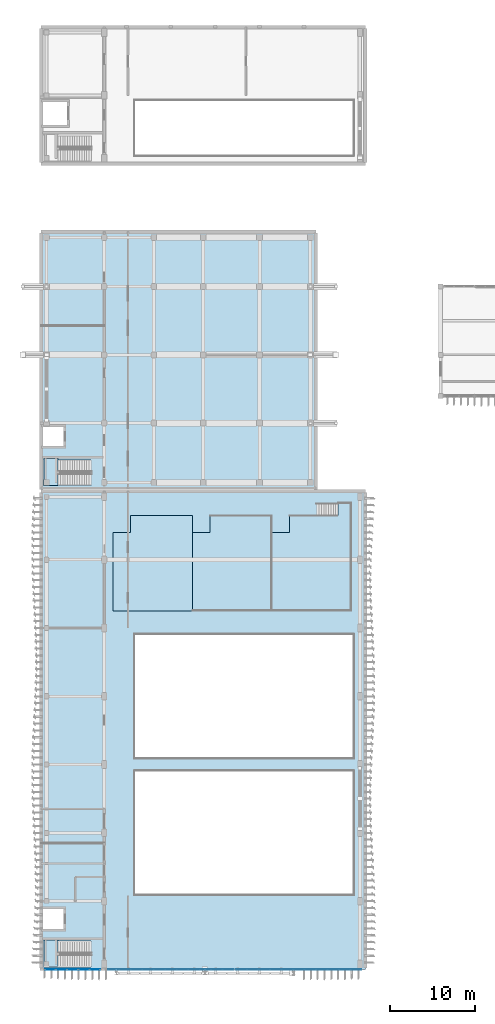
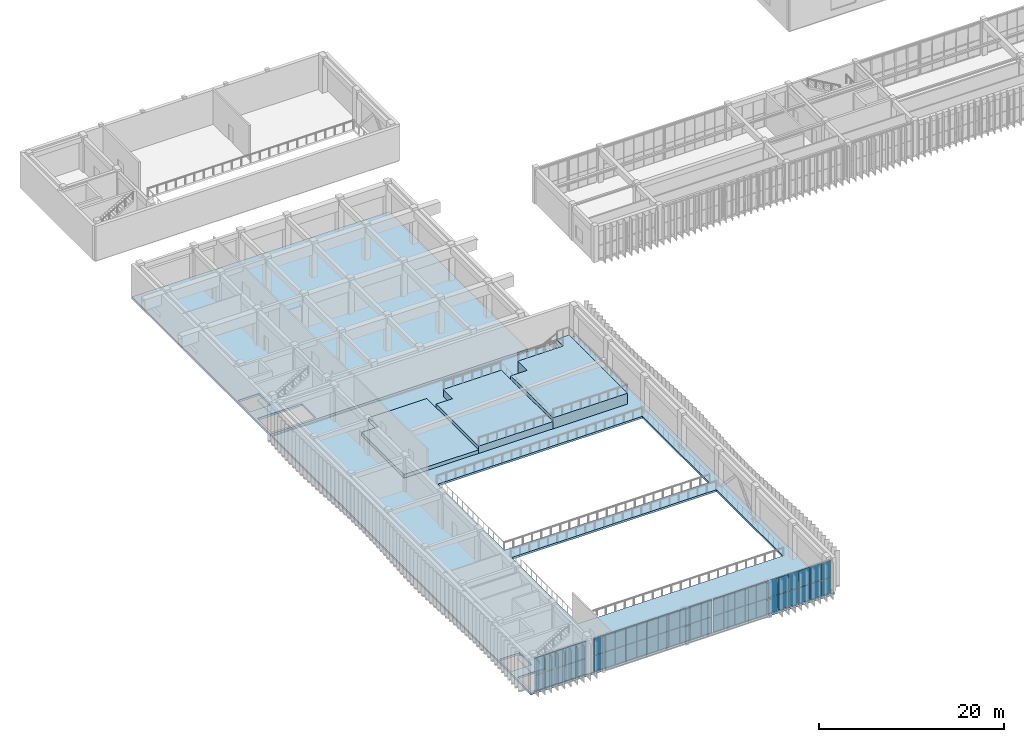
# One storey, part 29 of 64: 54 plates, 7 slabs, 5 elements without a shape of their own.
"""IFC4 building model written with IfcOpenShell, lengths in metres."""

from ifc_helpers import new_model, si_unit, direction, frame, origin, origin_2d, place, context, subcontext, project, spatial, polyline, rectangle, outline, extrude, material, layer, layer_set, type_object, element, aggregate, save


model = new_model("IFC4")

# Units and contexts
model_context = context("Model", 3, precision=1e-05, world=origin(), true_north=direction((0.0, 1.0)))
body_context = subcontext(model_context, "Body", "Model", "MODEL_VIEW")
ifc_project = project(units=[si_unit("LENGTHUNIT", "METRE"), si_unit("AREAUNIT", "SQUARE_METRE"), si_unit("VOLUMEUNIT", "CUBIC_METRE"), si_unit("PLANEANGLEUNIT", "RADIAN"), si_unit("MASSUNIT", "GRAM", prefix="KILO")], contexts=[model_context])

# Site, building, storey
site_placement = place(None, origin())
site = spatial("IfcSite", under=ifc_project, at=site_placement, CompositionType="ELEMENT")
building_placement = place(site_placement, origin())
building = spatial("IfcBuilding", under=site, at=building_placement, Name="Cinchona Park Media Centre", CompositionType="ELEMENT")
storey_placement = place(building_placement, frame((0.0, 0.0, 5.39990234375)))
storey = spatial("IfcBuildingStorey", under=building, at=storey_placement, Name="L01", CompositionType="ELEMENT", Elevation=5.39990234375)

# Curtain wall, plates
ifc_material_1 = material(Name="Aluminium Curtain Wall Framing", Category="aluminium")
ifc_layer_1 = layer(ifc_material_1, 0.2099609375)
ifc_layer_set_1 = layer_set([ifc_layer_1], Name="Aluminium Curtain Wall Framing")
curtain_wall_type_1 = type_object("IfcCurtainWallType", Name="CW-CW03", PredefinedType="USERDEFINED", material=ifc_layer_set_1)
curtain_wall_1_placement = place(storey_placement, origin())
curtain_wall_1 = element("IfcCurtainWall", 1, at=curtain_wall_1_placement, inside=storey, type_object=curtain_wall_type_1, Name="Curtain Wall CW03 L01", ObjectType="UNITISED CURTAIN WALL", PredefinedType="USERDEFINED")
ifc_material_2 = material(Name="Laminated Solar-Control Double Glazing", Category="glass")
ifc_layer_2 = layer(ifc_material_2, 0.050048828125)
ifc_layer_set_2 = layer_set([ifc_layer_2], Name="Laminated Solar-Control Double Glazing")
plate_type_1 = type_object("IfcPlateType", Name="CWPANEL-PNL04", PredefinedType="CURTAIN_PANEL", material=ifc_layer_set_2)
plate_1_placement = place(storey_placement, frame((14.30517578125, 7.60009765625, 0.125), z_axis=(0.0, 0.0, 1.0), x_axis=(-1.0, 0.0, 0.0)))
plate_1 = element("IfcPlate", 2, at=plate_1_placement, type_object=plate_type_1, Name="CW03 panel 1.1", PredefinedType="CURTAIN_PANEL", context=body_context, shape_type="SweptSolid", body=[
    extrude(rectangle(XDim=1.199462890625, YDim=0.050048828125, at=origin_2d()), origin(), (0.0, 0.0, 1.0), 2.033447265625),
])
plate_2_placement = place(storey_placement, frame((14.30517578125, 7.60009765625, 2.233642578125), z_axis=(0.0, 0.0, 1.0), x_axis=(-1.0, 0.0, 0.0)))
plate_2 = element("IfcPlate", 3, at=plate_2_placement, type_object=plate_type_1, Name="CW03 panel 1.2", PredefinedType="CURTAIN_PANEL", context=body_context, shape_type="SweptSolid", body=[
    extrude(rectangle(XDim=1.199462890625, YDim=0.050048828125, at=origin_2d()), origin(), (0.0, 0.0, 1.0), 2.21142578125),
])
plate_3_placement = place(storey_placement, frame((13.011962890625, 7.60009765625, 0.125), z_axis=(0.0, 0.0, 1.0), x_axis=(-1.0, 0.0, 0.0)))
plate_3 = element("IfcPlate", 4, at=plate_3_placement, type_object=plate_type_1, Name="CW03 panel 2.1", PredefinedType="CURTAIN_PANEL", context=body_context, shape_type="SweptSolid", body=[
    extrude(rectangle(XDim=1.237060546875, YDim=0.050048828125, at=origin_2d()), origin(), (0.0, 0.0, 1.0), 2.033447265625),
])
plate_4_placement = place(storey_placement, frame((13.011962890625, 7.60009765625, 2.233642578125), z_axis=(0.0, 0.0, 1.0), x_axis=(-1.0, 0.0, 0.0)))
plate_4 = element("IfcPlate", 5, at=plate_4_placement, type_object=plate_type_1, Name="CW03 panel 2.2", PredefinedType="CURTAIN_PANEL", context=body_context, shape_type="SweptSolid", body=[
    extrude(rectangle(XDim=1.237060546875, YDim=0.050048828125, at=origin_2d()), origin(), (0.0, 0.0, 1.0), 2.21142578125),
])
plate_5_placement = place(storey_placement, frame((11.699951171875, 7.60009765625, 0.125), z_axis=(0.0, 0.0, 1.0), x_axis=(-1.0, 0.0, 0.0)))
plate_5 = element("IfcPlate", 6, at=plate_5_placement, type_object=plate_type_1, Name="CW03 panel 3.1", PredefinedType="CURTAIN_PANEL", context=body_context, shape_type="SweptSolid", body=[
    extrude(rectangle(XDim=1.237060546875, YDim=0.050048828125, at=origin_2d()), origin(), (0.0, 0.0, 1.0), 2.033447265625),
])
plate_6_placement = place(storey_placement, frame((11.699951171875, 7.60009765625, 2.233642578125), z_axis=(0.0, 0.0, 1.0), x_axis=(-1.0, 0.0, 0.0)))
plate_6 = element("IfcPlate", 7, at=plate_6_placement, type_object=plate_type_1, Name="CW03 panel 3.2", PredefinedType="CURTAIN_PANEL", context=body_context, shape_type="SweptSolid", body=[
    extrude(rectangle(XDim=1.237060546875, YDim=0.050048828125, at=origin_2d()), origin(), (0.0, 0.0, 1.0), 2.21142578125),
])
plate_7_placement = place(storey_placement, frame((10.387939453125, 7.60009765625, 0.125), z_axis=(0.0, 0.0, 1.0), x_axis=(-1.0, 0.0, 0.0)))
plate_7 = element("IfcPlate", 8, at=plate_7_placement, type_object=plate_type_1, Name="CW03 panel 4.1", PredefinedType="CURTAIN_PANEL", context=body_context, shape_type="SweptSolid", body=[
    extrude(rectangle(XDim=1.237060546875, YDim=0.050048828125, at=origin_2d()), origin(), (0.0, 0.0, 1.0), 2.033447265625),
])
plate_8_placement = place(storey_placement, frame((10.387939453125, 7.60009765625, 2.233642578125), z_axis=(0.0, 0.0, 1.0), x_axis=(-1.0, 0.0, 0.0)))
plate_8 = element("IfcPlate", 9, at=plate_8_placement, type_object=plate_type_1, Name="CW03 panel 4.2", PredefinedType="CURTAIN_PANEL", context=body_context, shape_type="SweptSolid", body=[
    extrude(rectangle(XDim=1.237060546875, YDim=0.050048828125, at=origin_2d()), origin(), (0.0, 0.0, 1.0), 2.21142578125),
])
plate_9_placement = place(storey_placement, frame((9.0947265625, 7.60009765625, 0.125), z_axis=(0.0, 0.0, 1.0), x_axis=(-1.0, 0.0, 0.0)))
plate_9 = element("IfcPlate", 10, at=plate_9_placement, type_object=plate_type_1, Name="CW03 panel 5.1", PredefinedType="CURTAIN_PANEL", context=body_context, shape_type="SweptSolid", body=[
    extrude(rectangle(XDim=1.199462890625, YDim=0.050048828125, at=origin_2d()), origin(), (0.0, 0.0, 1.0), 2.033447265625),
])
plate_10_placement = place(storey_placement, frame((9.0947265625, 7.60009765625, 2.233642578125), z_axis=(0.0, 0.0, 1.0), x_axis=(-1.0, 0.0, 0.0)))
plate_10 = element("IfcPlate", 11, at=plate_10_placement, type_object=plate_type_1, Name="CW03 panel 5.2", PredefinedType="CURTAIN_PANEL", context=body_context, shape_type="SweptSolid", body=[
    extrude(rectangle(XDim=1.199462890625, YDim=0.050048828125, at=origin_2d()), origin(), (0.0, 0.0, 1.0), 2.21142578125),
])
aggregate(curtain_wall_1, [plate_1, plate_2, plate_3, plate_4, plate_5, plate_6, plate_7, plate_8, plate_9, plate_10])

ifc_material_3 = material(Name="Aluminium Curtain Wall Framing", Category="aluminium")
ifc_layer_3 = layer(ifc_material_3, 0.22509765625)
ifc_layer_set_3 = layer_set([ifc_layer_3], Name="Aluminium Curtain Wall Framing")
curtain_wall_type_2 = type_object("IfcCurtainWallType", Name="CW-CW04", PredefinedType="USERDEFINED", material=ifc_layer_set_3)
curtain_wall_2_placement = place(storey_placement, origin())
curtain_wall_2 = element("IfcCurtainWall", 12, at=curtain_wall_2_placement, inside=storey, type_object=curtain_wall_type_2, Name="Curtain Wall CW04 L01", ObjectType="UNITISED CURTAIN WALL", PredefinedType="USERDEFINED")
ifc_material_4 = material(Name="Laminated Solar-Control Double Glazing", Category="glass")
ifc_layer_4 = layer(ifc_material_4, 0.070068359375)
ifc_layer_set_4 = layer_set([ifc_layer_4], Name="Laminated Solar-Control Double Glazing")
plate_type_2 = type_object("IfcPlateType", Name="CWPANEL-PNL06", PredefinedType="CURTAIN_PANEL", material=ifc_layer_set_4)
plate_11_placement = place(storey_placement, frame((44.89111328125, 7.60009765625, 0.115234375), z_axis=(0.0, 0.0, 1.0), x_axis=(-1.0, 0.0, 0.0)))
plate_11 = element("IfcPlate", 13, at=plate_11_placement, type_object=plate_type_2, Name="CW04 panel 1.1", PredefinedType="CURTAIN_PANEL", context=body_context, shape_type="SweptSolid", body=[
    extrude(rectangle(XDim=1.248046875, YDim=0.070068359375, at=origin_2d()), origin(), (0.0, 0.0, 1.0), 2.048583984375),
])
plate_12_placement = place(storey_placement, frame((44.89111328125, 7.60009765625, 2.228515625), z_axis=(0.0, 0.0, 1.0), x_axis=(-1.0, 0.0, 0.0)))
plate_12 = element("IfcPlate", 14, at=plate_12_placement, type_object=plate_type_2, Name="CW04 panel 1.2", PredefinedType="CURTAIN_PANEL", context=body_context, shape_type="SweptSolid", body=[
    extrude(rectangle(XDim=1.248046875, YDim=0.070068359375, at=origin_2d()), origin(), (0.0, 0.0, 1.0), 2.2265625),
])
plate_13_placement = place(storey_placement, frame((43.561767578125, 7.60009765625, 0.115234375), z_axis=(0.0, 0.0, 1.0), x_axis=(-1.0, 0.0, 0.0)))
plate_13 = element("IfcPlate", 15, at=plate_13_placement, type_object=plate_type_2, Name="CW04 panel 2.1", PredefinedType="CURTAIN_PANEL", context=body_context, shape_type="SweptSolid", body=[
    extrude(rectangle(XDim=1.280517578125, YDim=0.070068359375, at=origin_2d()), origin(), (0.0, 0.0, 1.0), 2.048583984375),
])
plate_14_placement = place(storey_placement, frame((43.561767578125, 7.60009765625, 2.228515625), z_axis=(0.0, 0.0, 1.0), x_axis=(-1.0, 0.0, 0.0)))
plate_14 = element("IfcPlate", 16, at=plate_14_placement, type_object=plate_type_2, Name="CW04 panel 2.2", PredefinedType="CURTAIN_PANEL", context=body_context, shape_type="SweptSolid", body=[
    extrude(rectangle(XDim=1.280517578125, YDim=0.070068359375, at=origin_2d()), origin(), (0.0, 0.0, 1.0), 2.2265625),
])
plate_15_placement = place(storey_placement, frame((42.21630859375, 7.60009765625, 0.115234375), z_axis=(0.0, 0.0, 1.0), x_axis=(-1.0, 0.0, 0.0)))
plate_15 = element("IfcPlate", 17, at=plate_15_placement, type_object=plate_type_2, Name="CW04 panel 3.1", PredefinedType="CURTAIN_PANEL", context=body_context, shape_type="SweptSolid", body=[
    extrude(rectangle(XDim=1.280517578125, YDim=0.070068359375, at=origin_2d()), origin(), (0.0, 0.0, 1.0), 2.048583984375),
])
plate_16_placement = place(storey_placement, frame((42.21630859375, 7.60009765625, 2.228515625), z_axis=(0.0, 0.0, 1.0), x_axis=(-1.0, 0.0, 0.0)))
plate_16 = element("IfcPlate", 18, at=plate_16_placement, type_object=plate_type_2, Name="CW04 panel 3.2", PredefinedType="CURTAIN_PANEL", context=body_context, shape_type="SweptSolid", body=[
    extrude(rectangle(XDim=1.280517578125, YDim=0.070068359375, at=origin_2d()), origin(), (0.0, 0.0, 1.0), 2.2265625),
])
plate_17_placement = place(storey_placement, frame((40.870849609375, 7.60009765625, 0.115234375), z_axis=(0.0, 0.0, 1.0), x_axis=(-1.0, 0.0, 0.0)))
plate_17 = element("IfcPlate", 19, at=plate_17_placement, type_object=plate_type_2, Name="CW04 panel 4.1", PredefinedType="CURTAIN_PANEL", context=body_context, shape_type="SweptSolid", body=[
    extrude(rectangle(XDim=1.280517578125, YDim=0.070068359375, at=origin_2d()), origin(), (0.0, 0.0, 1.0), 2.048583984375),
])
plate_18_placement = place(storey_placement, frame((40.870849609375, 7.60009765625, 2.228515625), z_axis=(0.0, 0.0, 1.0), x_axis=(-1.0, 0.0, 0.0)))
plate_18 = element("IfcPlate", 20, at=plate_18_placement, type_object=plate_type_2, Name="CW04 panel 4.2", PredefinedType="CURTAIN_PANEL", context=body_context, shape_type="SweptSolid", body=[
    extrude(rectangle(XDim=1.280517578125, YDim=0.070068359375, at=origin_2d()), origin(), (0.0, 0.0, 1.0), 2.2265625),
])
plate_19_placement = place(storey_placement, frame((39.525390625, 7.60009765625, 0.115234375), z_axis=(0.0, 0.0, 1.0), x_axis=(-1.0, 0.0, 0.0)))
plate_19 = element("IfcPlate", 21, at=plate_19_placement, type_object=plate_type_2, Name="CW04 panel 5.1", PredefinedType="CURTAIN_PANEL", context=body_context, shape_type="SweptSolid", body=[
    extrude(rectangle(XDim=1.280517578125, YDim=0.070068359375, at=origin_2d()), origin(), (0.0, 0.0, 1.0), 2.048583984375),
])
plate_20_placement = place(storey_placement, frame((39.525390625, 7.60009765625, 2.228515625), z_axis=(0.0, 0.0, 1.0), x_axis=(-1.0, 0.0, 0.0)))
plate_20 = element("IfcPlate", 22, at=plate_20_placement, type_object=plate_type_2, Name="CW04 panel 5.2", PredefinedType="CURTAIN_PANEL", context=body_context, shape_type="SweptSolid", body=[
    extrude(rectangle(XDim=1.280517578125, YDim=0.070068359375, at=origin_2d()), origin(), (0.0, 0.0, 1.0), 2.2265625),
])
plate_21_placement = place(storey_placement, frame((38.179931640625, 7.60009765625, 0.115234375), z_axis=(0.0, 0.0, 1.0), x_axis=(-1.0, 0.0, 0.0)))
plate_21 = element("IfcPlate", 23, at=plate_21_placement, type_object=plate_type_2, Name="CW04 panel 6.1", PredefinedType="CURTAIN_PANEL", context=body_context, shape_type="SweptSolid", body=[
    extrude(rectangle(XDim=1.280517578125, YDim=0.070068359375, at=origin_2d()), origin(), (0.0, 0.0, 1.0), 2.048583984375),
])
plate_22_placement = place(storey_placement, frame((38.179931640625, 7.60009765625, 2.228515625), z_axis=(0.0, 0.0, 1.0), x_axis=(-1.0, 0.0, 0.0)))
plate_22 = element("IfcPlate", 24, at=plate_22_placement, type_object=plate_type_2, Name="CW04 panel 6.2", PredefinedType="CURTAIN_PANEL", context=body_context, shape_type="SweptSolid", body=[
    extrude(rectangle(XDim=1.280517578125, YDim=0.070068359375, at=origin_2d()), origin(), (0.0, 0.0, 1.0), 2.2265625),
])
plate_23_placement = place(storey_placement, frame((36.83447265625, 7.60009765625, 0.115234375), z_axis=(0.0, 0.0, 1.0), x_axis=(-1.0, 0.0, 0.0)))
plate_23 = element("IfcPlate", 25, at=plate_23_placement, type_object=plate_type_2, Name="CW04 panel 7.1", PredefinedType="CURTAIN_PANEL", context=body_context, shape_type="SweptSolid", body=[
    extrude(rectangle(XDim=1.280517578125, YDim=0.070068359375, at=origin_2d()), origin(), (0.0, 0.0, 1.0), 2.048583984375),
])
plate_24_placement = place(storey_placement, frame((36.83447265625, 7.60009765625, 2.228515625), z_axis=(0.0, 0.0, 1.0), x_axis=(-1.0, 0.0, 0.0)))
plate_24 = element("IfcPlate", 26, at=plate_24_placement, type_object=plate_type_2, Name="CW04 panel 7.2", PredefinedType="CURTAIN_PANEL", context=body_context, shape_type="SweptSolid", body=[
    extrude(rectangle(XDim=1.280517578125, YDim=0.070068359375, at=origin_2d()), origin(), (0.0, 0.0, 1.0), 2.2265625),
])
plate_25_placement = place(storey_placement, frame((35.489013671875, 7.60009765625, 0.115234375), z_axis=(0.0, 0.0, 1.0), x_axis=(-1.0, 0.0, 0.0)))
plate_25 = element("IfcPlate", 27, at=plate_25_placement, type_object=plate_type_2, Name="CW04 panel 8.1", PredefinedType="CURTAIN_PANEL", context=body_context, shape_type="SweptSolid", body=[
    extrude(rectangle(XDim=1.280517578125, YDim=0.070068359375, at=origin_2d()), origin(), (0.0, 0.0, 1.0), 2.048583984375),
])
plate_26_placement = place(storey_placement, frame((35.489013671875, 7.60009765625, 2.228515625), z_axis=(0.0, 0.0, 1.0), x_axis=(-1.0, 0.0, 0.0)))
plate_26 = element("IfcPlate", 28, at=plate_26_placement, type_object=plate_type_2, Name="CW04 panel 8.2", PredefinedType="CURTAIN_PANEL", context=body_context, shape_type="SweptSolid", body=[
    extrude(rectangle(XDim=1.280517578125, YDim=0.070068359375, at=origin_2d()), origin(), (0.0, 0.0, 1.0), 2.2265625),
])
plate_27_placement = place(storey_placement, frame((34.1435546875, 7.60009765625, 0.115234375), z_axis=(0.0, 0.0, 1.0), x_axis=(-1.0, 0.0, 0.0)))
plate_27 = element("IfcPlate", 29, at=plate_27_placement, type_object=plate_type_2, Name="CW04 panel 9.1", PredefinedType="CURTAIN_PANEL", context=body_context, shape_type="SweptSolid", body=[
    extrude(rectangle(XDim=1.280517578125, YDim=0.070068359375, at=origin_2d()), origin(), (0.0, 0.0, 1.0), 2.048583984375),
])
plate_28_placement = place(storey_placement, frame((34.1435546875, 7.60009765625, 2.228515625), z_axis=(0.0, 0.0, 1.0), x_axis=(-1.0, 0.0, 0.0)))
plate_28 = element("IfcPlate", 30, at=plate_28_placement, type_object=plate_type_2, Name="CW04 panel 9.2", PredefinedType="CURTAIN_PANEL", context=body_context, shape_type="SweptSolid", body=[
    extrude(rectangle(XDim=1.280517578125, YDim=0.070068359375, at=origin_2d()), origin(), (0.0, 0.0, 1.0), 2.2265625),
])
plate_29_placement = place(storey_placement, frame((32.798095703125, 7.60009765625, 0.115234375), z_axis=(0.0, 0.0, 1.0), x_axis=(-1.0, 0.0, 0.0)))
plate_29 = element("IfcPlate", 31, at=plate_29_placement, type_object=plate_type_2, Name="CW04 panel 10.1", PredefinedType="CURTAIN_PANEL", context=body_context, shape_type="SweptSolid", body=[
    extrude(rectangle(XDim=1.280517578125, YDim=0.070068359375, at=origin_2d()), origin(), (0.0, 0.0, 1.0), 2.048583984375),
])
plate_30_placement = place(storey_placement, frame((32.798095703125, 7.60009765625, 2.228515625), z_axis=(0.0, 0.0, 1.0), x_axis=(-1.0, 0.0, 0.0)))
plate_30 = element("IfcPlate", 32, at=plate_30_placement, type_object=plate_type_2, Name="CW04 panel 10.2", PredefinedType="CURTAIN_PANEL", context=body_context, shape_type="SweptSolid", body=[
    extrude(rectangle(XDim=1.280517578125, YDim=0.070068359375, at=origin_2d()), origin(), (0.0, 0.0, 1.0), 2.2265625),
])
plate_31_placement = place(storey_placement, frame((31.468994140625, 7.60009765625, 0.115234375), z_axis=(0.0, 0.0, 1.0), x_axis=(-1.0, 0.0, 0.0)))
plate_31 = element("IfcPlate", 33, at=plate_31_placement, type_object=plate_type_2, Name="CW04 panel 11.1", PredefinedType="CURTAIN_PANEL", context=body_context, shape_type="SweptSolid", body=[
    extrude(rectangle(XDim=1.248046875, YDim=0.070068359375, at=origin_2d()), origin(), (0.0, 0.0, 1.0), 2.048583984375),
])
plate_32_placement = place(storey_placement, frame((31.468994140625, 7.60009765625, 2.228515625), z_axis=(0.0, 0.0, 1.0), x_axis=(-1.0, 0.0, 0.0)))
plate_32 = element("IfcPlate", 34, at=plate_32_placement, type_object=plate_type_2, Name="CW04 panel 11.2", PredefinedType="CURTAIN_PANEL", context=body_context, shape_type="SweptSolid", body=[
    extrude(rectangle(XDim=1.248046875, YDim=0.070068359375, at=origin_2d()), origin(), (0.0, 0.0, 1.0), 2.2265625),
])
aggregate(curtain_wall_2, [plate_11, plate_12, plate_13, plate_14, plate_15, plate_16, plate_17, plate_18, plate_19, plate_20, plate_21, plate_22, plate_23, plate_24, plate_25, plate_26, plate_27, plate_28, plate_29, plate_30, plate_31, plate_32])

ifc_material_5 = material(Name="Aluminium Curtain Wall Framing", Category="aluminium")
ifc_layer_5 = layer(ifc_material_5, 0.239990234375)
ifc_layer_set_5 = layer_set([ifc_layer_5], Name="Aluminium Curtain Wall Framing")
curtain_wall_type_3 = type_object("IfcCurtainWallType", Name="CW-CW05", PredefinedType="USERDEFINED", material=ifc_layer_set_5)
curtain_wall_3_placement = place(storey_placement, origin())
curtain_wall_3 = element("IfcCurtainWall", 35, at=curtain_wall_3_placement, inside=storey, type_object=curtain_wall_type_3, Name="Curtain Wall CW05 L01", ObjectType="UNITISED CURTAIN WALL", PredefinedType="USERDEFINED")
ifc_material_6 = material(Name="Insulated Acoustic Aluminium-Glass Spandrel Cassette", Category="aluminium")
ifc_layer_6 = layer(ifc_material_6, 0.090087890625)
ifc_layer_set_6 = layer_set([ifc_layer_6], Name="Insulated Acoustic Aluminium-Glass Spandrel Cassette")
plate_type_3 = type_object("IfcPlateType", Name="CWPANEL-PNL08", PredefinedType="CURTAIN_PANEL", material=ifc_layer_set_6)
plate_33_placement = place(storey_placement, frame((29.930908203125, 7.60009765625, 0.115234375), z_axis=(0.0, 0.0, 1.0), x_axis=(-1.0, 0.0, 0.0)))
plate_33 = element("IfcPlate", 36, at=plate_33_placement, type_object=plate_type_3, Name="CW05 panel 1.1", PredefinedType="CURTAIN_PANEL", context=body_context, shape_type="SweptSolid", body=[
    extrude(rectangle(XDim=1.248046875, YDim=0.090087890625, at=origin_2d()), origin(), (0.0, 0.0, 1.0), 2.048583984375),
])
plate_34_placement = place(storey_placement, frame((29.930908203125, 7.60009765625, 2.228515625), z_axis=(0.0, 0.0, 1.0), x_axis=(-1.0, 0.0, 0.0)))
plate_34 = element("IfcPlate", 37, at=plate_34_placement, type_object=plate_type_3, Name="CW05 panel 1.2", PredefinedType="CURTAIN_PANEL", context=body_context, shape_type="SweptSolid", body=[
    extrude(rectangle(XDim=1.248046875, YDim=0.090087890625, at=origin_2d()), origin(), (0.0, 0.0, 1.0), 2.2265625),
])
plate_35_placement = place(storey_placement, frame((28.601806640625, 7.60009765625, 0.115234375), z_axis=(0.0, 0.0, 1.0), x_axis=(-1.0, 0.0, 0.0)))
plate_35 = element("IfcPlate", 38, at=plate_35_placement, type_object=plate_type_3, Name="CW05 panel 2.1", PredefinedType="CURTAIN_PANEL", context=body_context, shape_type="SweptSolid", body=[
    extrude(rectangle(XDim=1.280517578125, YDim=0.090087890625, at=origin_2d()), origin(), (0.0, 0.0, 1.0), 2.048583984375),
])
plate_36_placement = place(storey_placement, frame((28.601806640625, 7.60009765625, 2.228515625), z_axis=(0.0, 0.0, 1.0), x_axis=(-1.0, 0.0, 0.0)))
plate_36 = element("IfcPlate", 39, at=plate_36_placement, type_object=plate_type_3, Name="CW05 panel 2.2", PredefinedType="CURTAIN_PANEL", context=body_context, shape_type="SweptSolid", body=[
    extrude(rectangle(XDim=1.280517578125, YDim=0.090087890625, at=origin_2d()), origin(), (0.0, 0.0, 1.0), 2.2265625),
])
plate_37_placement = place(storey_placement, frame((27.25634765625, 7.60009765625, 0.115234375), z_axis=(0.0, 0.0, 1.0), x_axis=(-1.0, 0.0, 0.0)))
plate_37 = element("IfcPlate", 40, at=plate_37_placement, type_object=plate_type_3, Name="CW05 panel 3.1", PredefinedType="CURTAIN_PANEL", context=body_context, shape_type="SweptSolid", body=[
    extrude(rectangle(XDim=1.280517578125, YDim=0.090087890625, at=origin_2d()), origin(), (0.0, 0.0, 1.0), 2.048583984375),
])
plate_38_placement = place(storey_placement, frame((27.25634765625, 7.60009765625, 2.228515625), z_axis=(0.0, 0.0, 1.0), x_axis=(-1.0, 0.0, 0.0)))
plate_38 = element("IfcPlate", 41, at=plate_38_placement, type_object=plate_type_3, Name="CW05 panel 3.2", PredefinedType="CURTAIN_PANEL", context=body_context, shape_type="SweptSolid", body=[
    extrude(rectangle(XDim=1.280517578125, YDim=0.090087890625, at=origin_2d()), origin(), (0.0, 0.0, 1.0), 2.2265625),
])
plate_39_placement = place(storey_placement, frame((25.910888671875, 7.60009765625, 0.115234375), z_axis=(0.0, 0.0, 1.0), x_axis=(-1.0, 0.0, 0.0)))
plate_39 = element("IfcPlate", 42, at=plate_39_placement, type_object=plate_type_3, Name="CW05 panel 4.1", PredefinedType="CURTAIN_PANEL", context=body_context, shape_type="SweptSolid", body=[
    extrude(rectangle(XDim=1.280517578125, YDim=0.090087890625, at=origin_2d()), origin(), (0.0, 0.0, 1.0), 2.048583984375),
])
plate_40_placement = place(storey_placement, frame((25.910888671875, 7.60009765625, 2.228515625), z_axis=(0.0, 0.0, 1.0), x_axis=(-1.0, 0.0, 0.0)))
plate_40 = element("IfcPlate", 43, at=plate_40_placement, type_object=plate_type_3, Name="CW05 panel 4.2", PredefinedType="CURTAIN_PANEL", context=body_context, shape_type="SweptSolid", body=[
    extrude(rectangle(XDim=1.280517578125, YDim=0.090087890625, at=origin_2d()), origin(), (0.0, 0.0, 1.0), 2.2265625),
])
plate_41_placement = place(storey_placement, frame((24.5654296875, 7.60009765625, 0.115234375), z_axis=(0.0, 0.0, 1.0), x_axis=(-1.0, 0.0, 0.0)))
plate_41 = element("IfcPlate", 44, at=plate_41_placement, type_object=plate_type_3, Name="CW05 panel 5.1", PredefinedType="CURTAIN_PANEL", context=body_context, shape_type="SweptSolid", body=[
    extrude(rectangle(XDim=1.280517578125, YDim=0.090087890625, at=origin_2d()), origin(), (0.0, 0.0, 1.0), 2.048583984375),
])
plate_42_placement = place(storey_placement, frame((24.5654296875, 7.60009765625, 2.228515625), z_axis=(0.0, 0.0, 1.0), x_axis=(-1.0, 0.0, 0.0)))
plate_42 = element("IfcPlate", 45, at=plate_42_placement, type_object=plate_type_3, Name="CW05 panel 5.2", PredefinedType="CURTAIN_PANEL", context=body_context, shape_type="SweptSolid", body=[
    extrude(rectangle(XDim=1.280517578125, YDim=0.090087890625, at=origin_2d()), origin(), (0.0, 0.0, 1.0), 2.2265625),
])
plate_43_placement = place(storey_placement, frame((23.219970703125, 7.60009765625, 0.115234375), z_axis=(0.0, 0.0, 1.0), x_axis=(-1.0, 0.0, 0.0)))
plate_43 = element("IfcPlate", 46, at=plate_43_placement, type_object=plate_type_3, Name="CW05 panel 6.1", PredefinedType="CURTAIN_PANEL", context=body_context, shape_type="SweptSolid", body=[
    extrude(rectangle(XDim=1.280517578125, YDim=0.090087890625, at=origin_2d()), origin(), (0.0, 0.0, 1.0), 2.048583984375),
])
plate_44_placement = place(storey_placement, frame((23.219970703125, 7.60009765625, 2.228515625), z_axis=(0.0, 0.0, 1.0), x_axis=(-1.0, 0.0, 0.0)))
plate_44 = element("IfcPlate", 47, at=plate_44_placement, type_object=plate_type_3, Name="CW05 panel 6.2", PredefinedType="CURTAIN_PANEL", context=body_context, shape_type="SweptSolid", body=[
    extrude(rectangle(XDim=1.280517578125, YDim=0.090087890625, at=origin_2d()), origin(), (0.0, 0.0, 1.0), 2.2265625),
])
plate_45_placement = place(storey_placement, frame((21.87451171875, 7.60009765625, 0.115234375), z_axis=(0.0, 0.0, 1.0), x_axis=(-1.0, 0.0, 0.0)))
plate_45 = element("IfcPlate", 48, at=plate_45_placement, type_object=plate_type_3, Name="CW05 panel 7.1", PredefinedType="CURTAIN_PANEL", context=body_context, shape_type="SweptSolid", body=[
    extrude(rectangle(XDim=1.280517578125, YDim=0.090087890625, at=origin_2d()), origin(), (0.0, 0.0, 1.0), 2.048583984375),
])
plate_46_placement = place(storey_placement, frame((21.87451171875, 7.60009765625, 2.228515625), z_axis=(0.0, 0.0, 1.0), x_axis=(-1.0, 0.0, 0.0)))
plate_46 = element("IfcPlate", 49, at=plate_46_placement, type_object=plate_type_3, Name="CW05 panel 7.2", PredefinedType="CURTAIN_PANEL", context=body_context, shape_type="SweptSolid", body=[
    extrude(rectangle(XDim=1.280517578125, YDim=0.090087890625, at=origin_2d()), origin(), (0.0, 0.0, 1.0), 2.2265625),
])
plate_47_placement = place(storey_placement, frame((20.529052734375, 7.60009765625, 0.115234375), z_axis=(0.0, 0.0, 1.0), x_axis=(-1.0, 0.0, 0.0)))
plate_47 = element("IfcPlate", 50, at=plate_47_placement, type_object=plate_type_3, Name="CW05 panel 8.1", PredefinedType="CURTAIN_PANEL", context=body_context, shape_type="SweptSolid", body=[
    extrude(rectangle(XDim=1.280517578125, YDim=0.090087890625, at=origin_2d()), origin(), (0.0, 0.0, 1.0), 2.048583984375),
])
plate_48_placement = place(storey_placement, frame((20.529052734375, 7.60009765625, 2.228515625), z_axis=(0.0, 0.0, 1.0), x_axis=(-1.0, 0.0, 0.0)))
plate_48 = element("IfcPlate", 51, at=plate_48_placement, type_object=plate_type_3, Name="CW05 panel 8.2", PredefinedType="CURTAIN_PANEL", context=body_context, shape_type="SweptSolid", body=[
    extrude(rectangle(XDim=1.280517578125, YDim=0.090087890625, at=origin_2d()), origin(), (0.0, 0.0, 1.0), 2.2265625),
])
plate_49_placement = place(storey_placement, frame((19.18359375, 7.60009765625, 0.115234375), z_axis=(0.0, 0.0, 1.0), x_axis=(-1.0, 0.0, 0.0)))
plate_49 = element("IfcPlate", 52, at=plate_49_placement, type_object=plate_type_3, Name="CW05 panel 9.1", PredefinedType="CURTAIN_PANEL", context=body_context, shape_type="SweptSolid", body=[
    extrude(rectangle(XDim=1.280517578125, YDim=0.090087890625, at=origin_2d()), origin(), (0.0, 0.0, 1.0), 2.048583984375),
])
plate_50_placement = place(storey_placement, frame((19.18359375, 7.60009765625, 2.228515625), z_axis=(0.0, 0.0, 1.0), x_axis=(-1.0, 0.0, 0.0)))
plate_50 = element("IfcPlate", 53, at=plate_50_placement, type_object=plate_type_3, Name="CW05 panel 9.2", PredefinedType="CURTAIN_PANEL", context=body_context, shape_type="SweptSolid", body=[
    extrude(rectangle(XDim=1.280517578125, YDim=0.090087890625, at=origin_2d()), origin(), (0.0, 0.0, 1.0), 2.2265625),
])
plate_51_placement = place(storey_placement, frame((17.838134765625, 7.60009765625, 0.115234375), z_axis=(0.0, 0.0, 1.0), x_axis=(-1.0, 0.0, 0.0)))
plate_51 = element("IfcPlate", 54, at=plate_51_placement, type_object=plate_type_3, Name="CW05 panel 10.1", PredefinedType="CURTAIN_PANEL", context=body_context, shape_type="SweptSolid", body=[
    extrude(rectangle(XDim=1.280517578125, YDim=0.090087890625, at=origin_2d()), origin(), (0.0, 0.0, 1.0), 2.048583984375),
])
plate_52_placement = place(storey_placement, frame((17.838134765625, 7.60009765625, 2.228515625), z_axis=(0.0, 0.0, 1.0), x_axis=(-1.0, 0.0, 0.0)))
plate_52 = element("IfcPlate", 55, at=plate_52_placement, type_object=plate_type_3, Name="CW05 panel 10.2", PredefinedType="CURTAIN_PANEL", context=body_context, shape_type="SweptSolid", body=[
    extrude(rectangle(XDim=1.280517578125, YDim=0.090087890625, at=origin_2d()), origin(), (0.0, 0.0, 1.0), 2.2265625),
])
plate_53_placement = place(storey_placement, frame((16.509033203125, 7.60009765625, 0.115234375), z_axis=(0.0, 0.0, 1.0), x_axis=(-1.0, 0.0, 0.0)))
plate_53 = element("IfcPlate", 56, at=plate_53_placement, type_object=plate_type_3, Name="CW05 panel 11.1", PredefinedType="CURTAIN_PANEL", context=body_context, shape_type="SweptSolid", body=[
    extrude(rectangle(XDim=1.248046875, YDim=0.090087890625, at=origin_2d()), origin(), (0.0, 0.0, 1.0), 2.048583984375),
])
plate_54_placement = place(storey_placement, frame((16.509033203125, 7.60009765625, 2.228515625), z_axis=(0.0, 0.0, 1.0), x_axis=(-1.0, 0.0, 0.0)))
plate_54 = element("IfcPlate", 57, at=plate_54_placement, type_object=plate_type_3, Name="CW05 panel 11.2", PredefinedType="CURTAIN_PANEL", context=body_context, shape_type="SweptSolid", body=[
    extrude(rectangle(XDim=1.248046875, YDim=0.090087890625, at=origin_2d()), origin(), (0.0, 0.0, 1.0), 2.2265625),
])
aggregate(curtain_wall_3, [plate_33, plate_34, plate_35, plate_36, plate_37, plate_38, plate_39, plate_40, plate_41, plate_42, plate_43, plate_44, plate_45, plate_46, plate_47, plate_48, plate_49, plate_50, plate_51, plate_52, plate_53, plate_54])

# Stair, slab
ifc_material_7 = material(Name="Concrete C35/45", Category="concrete")
stair_type_1 = type_object("IfcStairType", Name="STAIR-ST3-HT48", PredefinedType="HALF_TURN_STAIR", material=ifc_material_7)
stair_1_placement = place(storey_placement, origin())
stair_1 = element("IfcStair", 58, at=stair_1_placement, inside=storey, type_object=stair_type_1, Name="Exit Stair ST3 L01", PredefinedType="HALF_TURN_STAIR")
ifc_material_8 = material(Name="Concrete C35/45", Category="concrete")
ifc_layer_7 = layer(ifc_material_8, 0.205078125)
ifc_layer_set_7 = layer_set([ifc_layer_7], Name="Concrete C35/45")
slab_type_1 = type_object("IfcSlabType", Name="LANDING-LDG01", PredefinedType="LANDING", material=ifc_layer_set_7)
slab_1_placement = place(storey_placement, frame((0.0, 0.0, 2.195068359375)))
slab_1 = element("IfcSlab", 59, at=slab_1_placement, type_object=slab_type_1, Name="ST3 landing 1", PredefinedType="LANDING", context=body_context, shape_type="SweptSolid", body=[
    extrude(outline(polyline([(8.320068359375, 64.320068359375), (9.97998046875, 64.320068359375), (9.97998046875, 67.445068359375), (8.320068359375, 67.445068359375), (8.320068359375, 64.320068359375)])), origin(), (0.0, 0.0, 1.0), 0.205078125),
])
aggregate(stair_1, [slab_1])

ifc_material_9 = material(Name="Concrete C35/45", Category="concrete")
stair_type_2 = type_object("IfcStairType", Name="STAIR-ST6-HT48", PredefinedType="HALF_TURN_STAIR", material=ifc_material_9)
stair_2_placement = place(storey_placement, origin())
stair_2 = element("IfcStair", 60, at=stair_2_placement, inside=storey, type_object=stair_type_2, Name="Exit Stair ST6 L01", PredefinedType="HALF_TURN_STAIR")
slab_2_placement = place(storey_placement, frame((0.0, 0.0, 2.195068359375)))
slab_2 = element("IfcSlab", 61, at=slab_2_placement, type_object=slab_type_1, Name="ST6 landing 1", PredefinedType="LANDING", context=body_context, shape_type="SweptSolid", body=[
    extrude(outline(polyline([(8.320068359375, 7.919921875), (9.97998046875, 7.919921875), (9.97998046875, 11.044921875), (8.320068359375, 11.044921875), (8.320068359375, 7.919921875)])), origin(), (0.0, 0.0, 1.0), 0.205078125),
])
aggregate(stair_2, [slab_2])

# Slabs
ifc_material_10 = material(Name="Concrete C35/45", Category="concrete")
ifc_layer_8 = layer(ifc_material_10, 0.280029296875)
ifc_layer_set_8 = layer_set([ifc_layer_8], Name="Concrete C35/45")
slab_type_2 = type_object("IfcSlabType", Name="SLAB-SL04-280", PredefinedType="FLOOR", material=ifc_layer_set_8)
slab_3_placement = place(storey_placement, frame((0.0, 0.0, -0.27978515625)))
element("IfcSlab", 62, at=slab_3_placement, inside=storey, type_object=slab_type_2, Name="Floor Slab V4 L01", PredefinedType="FLOOR", context=body_context, shape_type="SweptSolid", body=[
    extrude(outline(polyline([(8.0, 64.0), (40.199951171875, 64.0), (40.199951171875, 94.0), (8.0, 94.0), (8.0, 64.0)]), holes=[polyline([(8.300048828125, 64.300048828125), (13.864990234375, 64.300048828125), (13.864990234375, 67.300048828125), (8.300048828125, 67.300048828125), (8.300048828125, 64.300048828125)]), polyline([(8.199951171875, 68.800048828125), (10.800048828125, 68.800048828125), (10.800048828125, 71.300048828125), (8.199951171875, 71.300048828125), (8.199951171875, 68.800048828125)])]), origin(), (0.0, 0.0, 1.0), 0.27978515625),
])
ifc_material_11 = material(Name="Concrete C35/45", Category="concrete")
ifc_layer_9 = layer(ifc_material_11, 0.260009765625)
ifc_layer_set_9 = layer_set([ifc_layer_9], Name="Concrete C35/45")
slab_type_3 = type_object("IfcSlabType", Name="SLAB-SL05-260", PredefinedType="FLOOR", material=ifc_layer_set_9)
slab_4_placement = place(storey_placement, frame((0.0, 0.0, -0.260009765625)))
element("IfcSlab", 63, at=slab_4_placement, inside=storey, type_object=slab_type_3, Name="Floor Slab V1 L01", PredefinedType="FLOOR", context=body_context, shape_type="SweptSolid", body=[
    extrude(outline(polyline([(8.0, 7.60009765625), (46.0, 7.60009765625), (46.0, 63.60009765625), (8.0, 63.60009765625), (8.0, 7.60009765625)]), holes=[polyline([(8.300048828125, 7.89990234375), (13.864990234375, 7.89990234375), (13.864990234375, 10.89990234375), (8.300048828125, 10.89990234375), (8.300048828125, 7.89990234375)]), polyline([(8.199951171875, 12.199951171875), (10.800048828125, 12.199951171875), (10.800048828125, 14.800048828125), (8.199951171875, 14.800048828125), (8.199951171875, 12.199951171875)]), polyline([(19.0, 16.39990234375), (44.60009765625, 16.39990234375), (44.60009765625, 30.800048828125), (19.0, 30.800048828125), (19.0, 16.39990234375)]), polyline([(19.0, 32.39990234375), (44.60009765625, 32.39990234375), (44.60009765625, 46.800048828125), (19.0, 46.800048828125), (19.0, 32.39990234375)])]), origin(), (0.0, 0.0, 1.0), 0.260009765625),
])
ifc_material_12 = material(Name="Concrete C35/45", Category="concrete")
ifc_layer_10 = layer(ifc_material_12, 0.18994140625)
ifc_layer_set_10 = layer_set([ifc_layer_10], Name="Concrete C35/45")
slab_type_4 = type_object("IfcSlabType", Name="SLAB-STIER02-190", PredefinedType="USERDEFINED", material=ifc_layer_set_10)
slab_5_placement = place(storey_placement, origin())
element("IfcSlab", 64, at=slab_5_placement, inside=storey, type_object=slab_type_4, Name="Stand Cinema Hall 3 Seating Tier 1", ObjectType="SEATING TIER", PredefinedType="USERDEFINED", context=body_context, shape_type="SweptSolid", body=[
    extrude(outline(polyline([(16.39990234375, 49.60009765625), (25.719970703125, 49.60009765625), (25.719970703125, 60.800048828125), (18.449951171875, 60.800048828125), (18.449951171875, 58.783935546875), (16.39990234375, 58.783935546875), (16.39990234375, 49.60009765625)])), origin(), (0.0, 0.0, 1.0), 0.47998046875),
])
slab_6_placement = place(storey_placement, origin())
element("IfcSlab", 65, at=slab_6_placement, inside=storey, type_object=slab_type_4, Name="Stand Cinema Hall 3 Seating Tier 2", ObjectType="SEATING TIER", PredefinedType="USERDEFINED", context=body_context, shape_type="SweptSolid", body=[
    extrude(outline(polyline([(25.719970703125, 49.60009765625), (35.0400390625, 49.60009765625), (35.0400390625, 60.800048828125), (27.77001953125, 60.800048828125), (27.77001953125, 58.783935546875), (25.719970703125, 58.783935546875), (25.719970703125, 49.60009765625)])), origin(), (0.0, 0.0, 1.0), 0.960205078125),
])
slab_7_placement = place(storey_placement, origin())
element("IfcSlab", 66, at=slab_7_placement, inside=storey, type_object=slab_type_4, Name="Stand Cinema Hall 3 Seating Tier 3", ObjectType="SEATING TIER", PredefinedType="USERDEFINED", context=body_context, shape_type="SweptSolid", body=[
    extrude(outline(polyline([(35.0400390625, 49.60009765625), (44.360107421875, 49.60009765625), (44.360107421875, 62.300048828125), (42.760009765625, 62.300048828125), (42.760009765625, 60.800048828125), (37.090087890625, 60.800048828125), (37.090087890625, 58.783935546875), (35.0400390625, 58.783935546875), (35.0400390625, 49.60009765625)])), origin(), (0.0, 0.0, 1.0), 1.440185546875),
])

save(model, "model.ifc")
